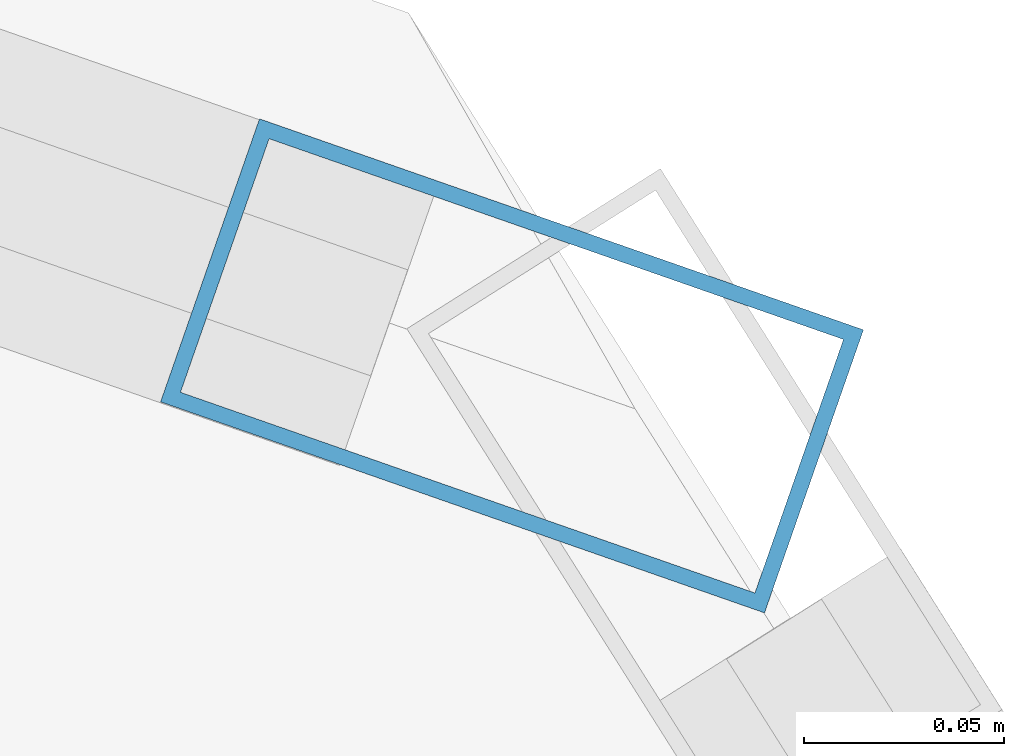
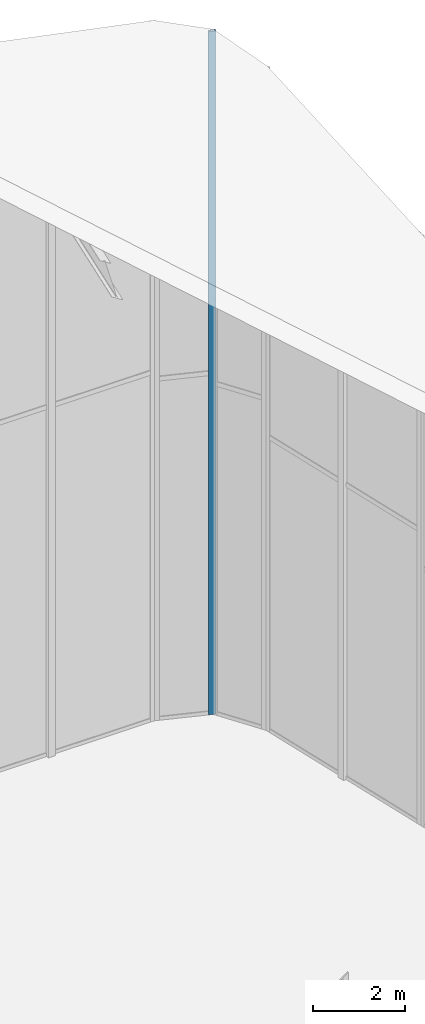
# One storey, part 67 of 74: 1 member, 1 element without a shape of its own.
"""IFC4 building model written with IfcOpenShell, lengths in metres."""

import ifcopenshell
import ifcopenshell.guid

model = None  # the IFC model being written
_history = None  # IfcOwnerHistory: only IFC2X3 demands one
_inside = {}  # id of a spatial element -> (the spatial element, [elements in it])
_under = {}  # id of a project, library or spatial element -> (it, [spatial elements below it])
_declared = {}  # id of a project -> (the project, [libraries it declares])
_typed = {}  # id of a type object -> (the type object, [elements of that type])
_made_of = {}  # id of a material, layer set ... -> (it, [elements and type objects made of it])


def new_model(schema):
    """Start an empty IFC model of exactly this schema.

    Asked for "IFC4X3", IfcOpenShell would pick the latest addendum, in which some entities
    have other attributes; the version numbers below select the first issue.
    IFC2X3 requires an IfcOwnerHistory on every rooted entity: one is made here for all.
    """
    global model, _history
    if schema == "IFC4X3":
        model = ifcopenshell.file(schema_version=(4, 3, 0, 0))
    else:
        model = ifcopenshell.file(schema=schema)
    _inside.clear()
    _under.clear()
    _declared.clear()
    _typed.clear()
    _made_of.clear()
    _history = None
    if model.schema == "IFC2X3":
        org = make("IfcOrganization", Name="unknown")
        user = make(
            "IfcPersonAndOrganization",
            ThePerson=make("IfcPerson", FamilyName="unknown"),
            TheOrganization=org,
        )
        app = make(
            "IfcApplication",
            ApplicationDeveloper=org,
            Version="unknown",
            ApplicationFullName="unknown",
            ApplicationIdentifier="unknown",
        )
        _history = make(
            "IfcOwnerHistory",
            OwningUser=user,
            OwningApplication=app,
            ChangeAction="ADDED",
            CreationDate=0,
        )
    return model


def make(cls, **values):
    """One entity of the class cls with the attributes given. An attribute that is None is left unset."""
    return model.create_entity(
        cls, **{name: value for name, value in values.items() if value is not None}
    )


def rooted(cls, **values):
    """An entity with a GlobalId (a new one), such as an element, a storey or a relation."""
    return make(cls, GlobalId=ifcopenshell.guid.new(), OwnerHistory=_history, **values)


def si_unit(unit_type, name, prefix=None):
    """IfcSIUnit, for example si_unit("LENGTHUNIT", "METRE", prefix="MILLI")."""
    return make("IfcSIUnit", UnitType=unit_type, Prefix=prefix, Name=name)


def assignment(units):
    """IfcUnitAssignment: the units of a project."""
    return None if units is None else make("IfcUnitAssignment", Units=units)


def point(xyz):
    """IfcCartesianPoint."""
    return None if xyz is None else make("IfcCartesianPoint", Coordinates=xyz)


def direction(xyz):
    """IfcDirection."""
    return None if xyz is None else make("IfcDirection", DirectionRatios=xyz)


def frame(location, z_axis=None, x_axis=None):
    """IfcAxis2Placement3D, a coordinate frame: its origin and axes. An axis left out is left unset."""
    return make(
        "IfcAxis2Placement3D",
        Location=point(location),
        Axis=direction(z_axis),
        RefDirection=direction(x_axis),
    )


def frame_2d(location, x_axis=None):
    """IfcAxis2Placement2D, a coordinate frame in the plane: its origin and x axis."""
    return make(
        "IfcAxis2Placement2D", Location=point(location), RefDirection=direction(x_axis)
    )


def origin():
    """The frame at (0, 0, 0) with its axes left unset."""
    return frame((0.0, 0.0, 0.0))


def origin_2d():
    """The frame at (0, 0) in the plane with its x axis left unset."""
    return frame_2d((0.0, 0.0))


def place(relative_to, where):
    """IfcLocalPlacement: puts the frame where relative to a parent placement (None: the world)."""
    return make(
        "IfcLocalPlacement", PlacementRelTo=relative_to, RelativePlacement=where
    )


def context(
    kind, dimensions, precision=None, world=None, true_north=None, identifier=None
):
    """IfcGeometricRepresentationContext, for example the 3D "Model" context."""
    return make(
        "IfcGeometricRepresentationContext",
        ContextIdentifier=identifier,
        ContextType=kind,
        CoordinateSpaceDimension=dimensions,
        Precision=precision,
        WorldCoordinateSystem=world,
        TrueNorth=true_north,
    )


def subcontext(parent, identifier, kind, view, scale=None):
    """IfcGeometricRepresentationSubContext, for example "Body" below "Model"."""
    return make(
        "IfcGeometricRepresentationSubContext",
        ContextIdentifier=identifier,
        ContextType=kind,
        ParentContext=parent,
        TargetScale=scale,
        TargetView=view,
    )


def project(units=None, contexts=None):
    """IfcProject with its units and contexts."""
    return rooted(
        "IfcProject",
        Name="project",
        RepresentationContexts=contexts,
        UnitsInContext=assignment(units),
    )


def spatial(cls, under=None, at=None, **own):
    """A site, building, storey or space (cls), placed at a placement, below another one or the project."""
    s = rooted(cls, ObjectPlacement=at, **own)
    if under is not None:
        _under.setdefault(under.id(), (under, []))[1].append(s)
    return s


def profile(cls, at=None, kind="AREA", **sizes):
    """A parametric profile (cls). Its sizes go by their IFC names, for example OverallWidth=200.0."""
    return make(cls, ProfileType=kind, Position=at, **sizes)


def hollow_rectangle(**sizes):
    """IfcRectangleHollowProfileDef."""
    return profile("IfcRectangleHollowProfileDef", **sizes)


def extrude(swept, where, along, depth):
    """IfcExtrudedAreaSolid: the profile swept, set in the frame where, extruded along a direction by depth."""
    return make(
        "IfcExtrudedAreaSolid",
        SweptArea=swept,
        Position=where,
        ExtrudedDirection=direction(along),
        Depth=depth,
    )


def shape(context_of_items, identifier, shape_type, items):
    """IfcShapeRepresentation: the items that make up one representation, for example the "Body"."""
    return make(
        "IfcShapeRepresentation",
        ContextOfItems=context_of_items,
        RepresentationIdentifier=identifier,
        RepresentationType=shape_type,
        Items=items,
    )


def material(Name=None, Category=None):
    """IfcMaterial."""
    return make("IfcMaterial", Name=Name, Category=Category)


def layer(
    of_material, thickness, ventilated=None, Name=None, Category=None, Priority=None
):
    """IfcMaterialLayer: one layer of a wall or slab, of a material (None: an air gap)."""
    return make(
        "IfcMaterialLayer",
        Material=of_material,
        LayerThickness=thickness,
        IsVentilated=ventilated,
        Name=Name,
        Category=Category,
        Priority=Priority,
    )


def layer_set(layers, Name=None):
    """IfcMaterialLayerSet."""
    return make("IfcMaterialLayerSet", MaterialLayers=layers, LayerSetName=Name)


def material_profile(
    of_material, cross_section, Name=None, Category=None, Priority=None
):
    """IfcMaterialProfile: a cross section and its material."""
    return make(
        "IfcMaterialProfile",
        Name=Name,
        Material=of_material,
        Profile=cross_section,
        Priority=Priority,
        Category=Category,
    )


def profile_set(profiles, Name=None, composite=None):
    """IfcMaterialProfileSet."""
    return make(
        "IfcMaterialProfileSet",
        Name=Name,
        MaterialProfiles=profiles,
        CompositeProfile=composite,
    )


def made_of(thing, what):
    """Note that an element or type object is made of a material, layer set ...; save() writes the relation."""
    if what is not None:
        _made_of.setdefault(what.id(), (what, []))[1].append(thing)
    return thing


def type_object(cls, material=None, **own):
    """A type object (cls), such as IfcWallType, which elements share."""
    return made_of(rooted(cls, **own), material)


def element(
    cls,
    number,
    at=None,
    inside=None,
    cuts=None,
    type_object=None,
    material=None,
    context=None,
    identifier="Body",
    shape_type=None,
    held_by="IfcProductDefinitionShape",
    body=None,
    shapes=None,
    **own,
):
    """One element of the class cls, such as IfcWall. Its Tag is "e" and its number.

    at: its placement. inside: the storey or other place that contains it. cuts: it is an
    opening in that element (IfcRelVoidsElement). A single representation is given by context,
    identifier, shape_type and body (its items); several are given by shapes. held_by: the class
    of the entity that holds the representations. save() writes the other relations.
    """
    e = rooted(cls, Tag="e%d" % number, ObjectPlacement=at, **own)
    if body is not None:
        shapes = [shape(context, identifier, shape_type, body)]
    if shapes is not None:
        e.Representation = make(held_by, Representations=shapes)
    if inside is not None:
        _inside.setdefault(inside.id(), (inside, []))[1].append(e)
    if cuts is not None:
        rooted(
            "IfcRelVoidsElement", RelatingBuildingElement=cuts, RelatedOpeningElement=e
        )
    if type_object is not None:
        _typed.setdefault(type_object.id(), (type_object, []))[1].append(e)
    return made_of(e, material)


def aggregate(whole, parts):
    """IfcRelAggregates: a whole, such as a stair, and the parts it consists of."""
    return rooted("IfcRelAggregates", RelatingObject=whole, RelatedObjects=parts)


def save(model, path):
    """Write the relations noted so far, then the file.

    IfcRelAggregates (storeys below a building ...), IfcRelContainedInSpatialStructure (elements
    in a storey), IfcRelDefinesByType, IfcRelAssociatesMaterial and IfcRelDeclares: one each for
    every whole, place, type object, material and project.
    """
    for whole, parts in _under.values():
        aggregate(whole, parts)
    for where, things in _inside.values():
        rooted(
            "IfcRelContainedInSpatialStructure",
            RelatedElements=things,
            RelatingStructure=where,
        )
    for kind, things in _typed.values():
        rooted("IfcRelDefinesByType", RelatedObjects=things, RelatingType=kind)
    for what, things in _made_of.values():
        rooted("IfcRelAssociatesMaterial", RelatedObjects=things, RelatingMaterial=what)
    for by, libraries in _declared.values():
        rooted("IfcRelDeclares", RelatingContext=by, RelatedDefinitions=libraries)
    model.write(path)


model = new_model("IFC4")

# Units and contexts
model_context = context("Model", 3, precision=1e-05, world=origin(), true_north=direction((0.0, 1.0)))
body_context = subcontext(model_context, "Body", "Model", "MODEL_VIEW")
ifc_project = project(units=[si_unit("LENGTHUNIT", "METRE"), si_unit("AREAUNIT", "SQUARE_METRE"), si_unit("VOLUMEUNIT", "CUBIC_METRE"), si_unit("PLANEANGLEUNIT", "RADIAN"), si_unit("MASSUNIT", "GRAM", prefix="KILO")], contexts=[model_context])

# Site, building, storey
site_placement = place(None, origin())
site = spatial("IfcSite", under=ifc_project, at=site_placement, CompositionType="ELEMENT")
building_placement = place(site_placement, origin())
building = spatial("IfcBuilding", under=site, at=building_placement, Name="Keshet Zoharim Tower", CompositionType="ELEMENT")
storey_placement = place(building_placement, frame((0.0, 0.0, 320.0)))
storey = spatial("IfcBuildingStorey", under=building, at=storey_placement, Name="RF", CompositionType="ELEMENT", Elevation=320.0)

# Curtain wall, member
ifc_material = material(Name="Aluminium 6063-T6", Category="aluminium")
ifc_layer = layer(ifc_material, 0.260009765625)
ifc_layer_set = layer_set([ifc_layer], Name="Aluminium 6063-T6")
curtain_wall_type = type_object("IfcCurtainWallType", Name="CW-SYS-06", PredefinedType="NOTDEFINED", material=ifc_layer_set)
curtain_wall_placement = place(storey_placement, origin())
curtain_wall = element("IfcCurtainWall", 1, at=curtain_wall_placement, inside=storey, type_object=curtain_wall_type, Name="Slanted Crown Curtain Wall 15", PredefinedType="NOTDEFINED")
ifc_material_profile = material_profile(ifc_material, hollow_rectangle(XDim=0.074951171875, YDim=0.159912109375, WallThickness=0.00390625, at=origin_2d()), Name="MUL-75x160")
ifc_profile_set = profile_set([ifc_material_profile], Name="Aluminium 6063-T6")
member_type = type_object("IfcMemberType", Name="CWM-M15", PredefinedType="MULLION", material=ifc_profile_set)
member_placement = place(storey_placement, frame((38.623291015625, 53.475830078125, 0.0), z_axis=(0.0, 0.0, 1.0), x_axis=(0.329843743636, 0.944035542119, 0.0)))
member = element("IfcMember", 2, at=member_placement, type_object=member_type, Name="CW-06 mullion 2", PredefinedType="MULLION", context=body_context, shape_type="SweptSolid", body=[
    extrude(hollow_rectangle(XDim=0.074951171875, YDim=0.159912109375, WallThickness=0.00390625, at=origin_2d()), origin(), (0.0, 0.0, 1.0), 18.1650390625),
])
aggregate(curtain_wall, [member])

save(model, "model.ifc")
